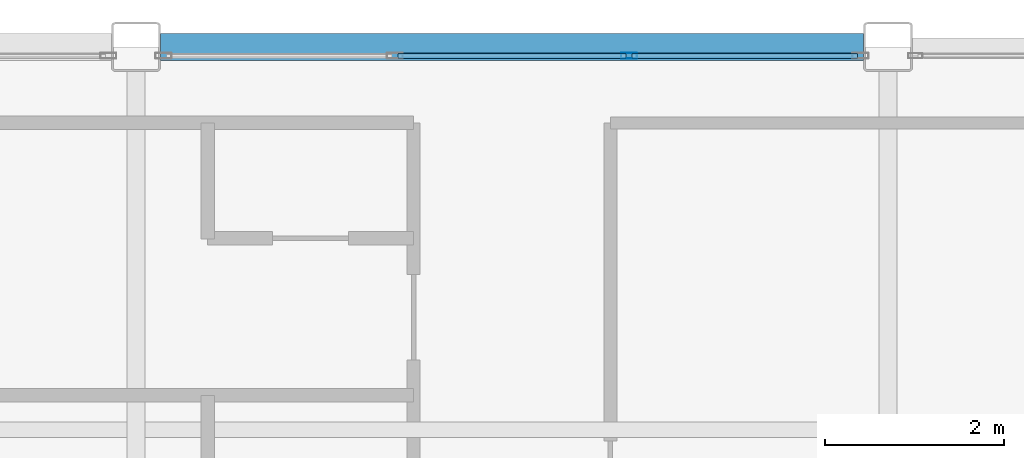
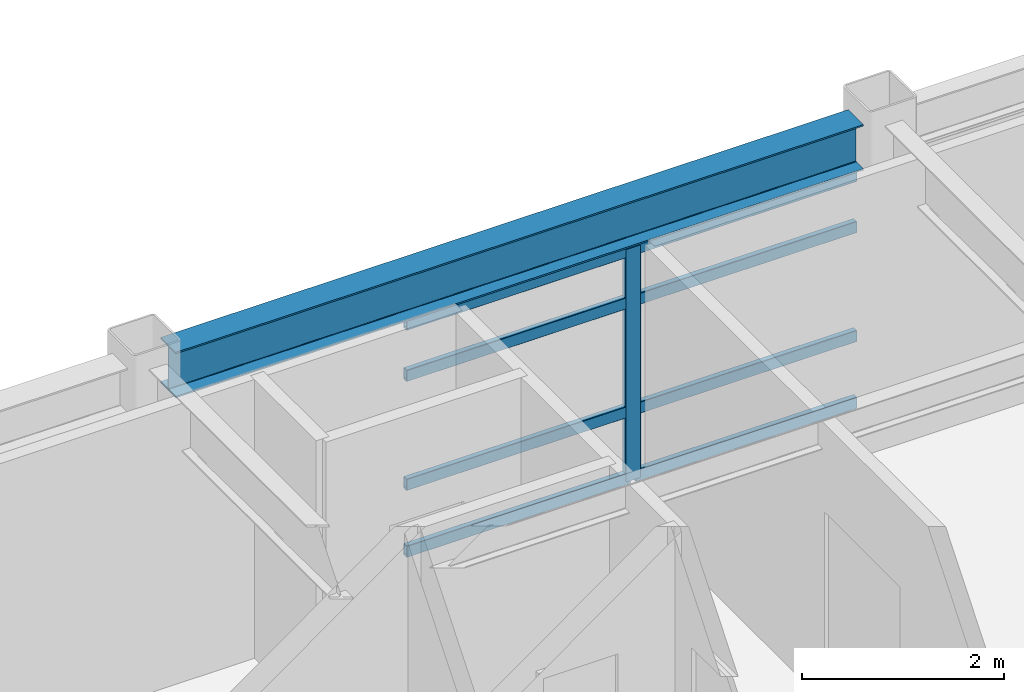
# One storey, part 19 of 38: 9 members, 1 beam, 1 element without a shape of its own.
"""IFC4 building model written with IfcOpenShell, lengths in metres."""

from ifc_helpers import new_model, si_unit, direction, frame, origin, origin_2d, place, context, subcontext, project, spatial, hollow_rectangle, i_section, extrude, material, layer, layer_set, material_profile, profile_set, type_object, element, aggregate, save


model = new_model("IFC4")

# Units and contexts
model_context = context("Model", 3, precision=1e-05, world=origin(), true_north=direction((0.0, 1.0)))
body_context = subcontext(model_context, "Body", "Model", "MODEL_VIEW")
ifc_project = project(units=[si_unit("LENGTHUNIT", "METRE"), si_unit("AREAUNIT", "SQUARE_METRE"), si_unit("VOLUMEUNIT", "CUBIC_METRE"), si_unit("PLANEANGLEUNIT", "RADIAN"), si_unit("MASSUNIT", "GRAM", prefix="KILO")], contexts=[model_context])

# Site, building, storey
site_placement = place(None, origin())
site = spatial("IfcSite", under=ifc_project, at=site_placement, CompositionType="ELEMENT")
building_placement = place(site_placement, origin())
building = spatial("IfcBuilding", under=site, at=building_placement, Name="Kazehara Bluff Congress Hotel", CompositionType="ELEMENT")
storey_placement = place(building_placement, frame((0.0, 0.0, 24.60009765625)))
storey = spatial("IfcBuildingStorey", under=building, at=storey_placement, Name="L05", CompositionType="ELEMENT", Elevation=24.60009765625)

# Curtain wall, members
ifc_material_1 = material(Name="Anodised aluminium", Category="aluminium")
ifc_layer = layer(ifc_material_1, 0.159912109375)
ifc_layer_set = layer_set([ifc_layer], Name="Anodised aluminium")
curtain_wall_type = type_object("IfcCurtainWallType", Name="TP-CW-172", PredefinedType="NOTDEFINED", material=ifc_layer_set)
curtain_wall_placement = place(storey_placement, origin())
curtain_wall = element("IfcCurtainWall", 1, at=curtain_wall_placement, inside=storey, type_object=curtain_wall_type, Name="L05 curtain wall CW-172 CW-ENC-V5-L05-15630-10535", PredefinedType="NOTDEFINED")
ifc_material_2 = material(Name="Anodised aluminium", Category="aluminium")
ifc_material_profile_1 = material_profile(ifc_material_2, hollow_rectangle(XDim=0.06494140625, YDim=0.179931640625, WallThickness=0.00390625, InnerFilletRadius=0.00390625, OuterFilletRadius=0.008056640625, at=origin_2d()))
ifc_profile_set_1 = profile_set([ifc_material_profile_1], Name="Anodised aluminium")
member_type_1 = type_object("IfcMemberType", Name="TP-CWM-02", PredefinedType="MULLION", material=ifc_profile_set_1)
member_1_placement = place(storey_placement, frame((157.6083984375, 105.35009765625, 0.0), z_axis=(0.0, 0.0, 1.0), x_axis=(0.0, 1.0, 0.0)))
member_1 = element("IfcMember", 2, at=member_1_placement, type_object=member_type_1, Name="CW-172 mullion 3", PredefinedType="MULLION", context=body_context, shape_type="SweptSolid", body=[
    extrude(hollow_rectangle(XDim=0.06494140625, YDim=0.179931640625, WallThickness=0.00390625, InnerFilletRadius=0.00390625, OuterFilletRadius=0.008056640625, at=origin_2d()), origin(), (0.0, 0.0, 1.0), 2.804931640625),
])
ifc_material_3 = material(Name="Anodised aluminium", Category="aluminium")
ifc_material_profile_2 = material_profile(ifc_material_3, hollow_rectangle(XDim=0.06494140625, YDim=0.139892578125, WallThickness=0.00390625, InnerFilletRadius=0.00390625, OuterFilletRadius=0.008056640625, at=origin_2d()))
ifc_profile_set_2 = profile_set([ifc_material_profile_2], Name="Anodised aluminium")
member_type_2 = type_object("IfcMemberType", Name="TP-CWT-02", PredefinedType="USERDEFINED", material=ifc_profile_set_2)
member_2_placement = place(storey_placement, frame((155.024169921875, 105.35009765625, 0.032470703125), z_axis=(1.0, 0.0, 0.0), x_axis=(0.0, 1.0, 0.0)))
member_2 = element("IfcMember", 3, at=member_2_placement, type_object=member_type_2, Name="CW-172 transom 2.1", ObjectType="TRANSOM", PredefinedType="USERDEFINED", context=body_context, shape_type="SweptSolid", body=[
    extrude(hollow_rectangle(XDim=0.06494140625, YDim=0.139892578125, WallThickness=0.00390625, InnerFilletRadius=0.00390625, OuterFilletRadius=0.008056640625, at=origin_2d()), origin(), (0.0, 0.0, 1.0), 2.5517578125),
])
member_3_placement = place(storey_placement, frame((155.024169921875, 105.35009765625, 0.83984375), z_axis=(1.0, 0.0, 0.0), x_axis=(0.0, 1.0, 0.0)))
member_3 = element("IfcMember", 4, at=member_3_placement, type_object=member_type_2, Name="CW-172 transom 2.2", ObjectType="TRANSOM", PredefinedType="USERDEFINED", context=body_context, shape_type="SweptSolid", body=[
    extrude(hollow_rectangle(XDim=0.06494140625, YDim=0.139892578125, WallThickness=0.00390625, InnerFilletRadius=0.00390625, OuterFilletRadius=0.008056640625, at=origin_2d()), origin(), (0.0, 0.0, 1.0), 2.5517578125),
])
member_4_placement = place(storey_placement, frame((155.024169921875, 105.35009765625, 2.15478515625), z_axis=(1.0, 0.0, 0.0), x_axis=(0.0, 1.0, 0.0)))
member_4 = element("IfcMember", 5, at=member_4_placement, type_object=member_type_2, Name="CW-172 transom 2.3", ObjectType="TRANSOM", PredefinedType="USERDEFINED", context=body_context, shape_type="SweptSolid", body=[
    extrude(hollow_rectangle(XDim=0.06494140625, YDim=0.139892578125, WallThickness=0.00390625, InnerFilletRadius=0.00390625, OuterFilletRadius=0.008056640625, at=origin_2d()), origin(), (0.0, 0.0, 1.0), 2.5517578125),
])
member_5_placement = place(storey_placement, frame((155.024169921875, 105.35009765625, 2.7724609375), z_axis=(1.0, 0.0, 0.0), x_axis=(0.0, 1.0, 0.0)))
member_5 = element("IfcMember", 6, at=member_5_placement, type_object=member_type_2, Name="CW-172 transom 2.4", ObjectType="TRANSOM", PredefinedType="USERDEFINED", context=body_context, shape_type="SweptSolid", body=[
    extrude(hollow_rectangle(XDim=0.06494140625, YDim=0.139892578125, WallThickness=0.00390625, InnerFilletRadius=0.00390625, OuterFilletRadius=0.008056640625, at=origin_2d()), origin(), (0.0, 0.0, 1.0), 2.5517578125),
])
member_6_placement = place(storey_placement, frame((157.640869140625, 105.35009765625, 0.032470703125), z_axis=(1.0, 0.0, 0.0), x_axis=(0.0, 1.0, 0.0)))
member_6 = element("IfcMember", 7, at=member_6_placement, type_object=member_type_2, Name="CW-172 transom 3.1", ObjectType="TRANSOM", PredefinedType="USERDEFINED", context=body_context, shape_type="SweptSolid", body=[
    extrude(hollow_rectangle(XDim=0.06494140625, YDim=0.139892578125, WallThickness=0.00390625, InnerFilletRadius=0.00390625, OuterFilletRadius=0.008056640625, at=origin_2d()), origin(), (0.0, 0.0, 1.0), 2.51904296875),
])
member_7_placement = place(storey_placement, frame((157.640869140625, 105.35009765625, 0.83984375), z_axis=(1.0, 0.0, 0.0), x_axis=(0.0, 1.0, 0.0)))
member_7 = element("IfcMember", 8, at=member_7_placement, type_object=member_type_2, Name="CW-172 transom 3.2", ObjectType="TRANSOM", PredefinedType="USERDEFINED", context=body_context, shape_type="SweptSolid", body=[
    extrude(hollow_rectangle(XDim=0.06494140625, YDim=0.139892578125, WallThickness=0.00390625, InnerFilletRadius=0.00390625, OuterFilletRadius=0.008056640625, at=origin_2d()), origin(), (0.0, 0.0, 1.0), 2.51904296875),
])
member_8_placement = place(storey_placement, frame((157.640869140625, 105.35009765625, 2.15478515625), z_axis=(1.0, 0.0, 0.0), x_axis=(0.0, 1.0, 0.0)))
member_8 = element("IfcMember", 9, at=member_8_placement, type_object=member_type_2, Name="CW-172 transom 3.3", ObjectType="TRANSOM", PredefinedType="USERDEFINED", context=body_context, shape_type="SweptSolid", body=[
    extrude(hollow_rectangle(XDim=0.06494140625, YDim=0.139892578125, WallThickness=0.00390625, InnerFilletRadius=0.00390625, OuterFilletRadius=0.008056640625, at=origin_2d()), origin(), (0.0, 0.0, 1.0), 2.51904296875),
])
member_9_placement = place(storey_placement, frame((157.640869140625, 105.35009765625, 2.7724609375), z_axis=(1.0, 0.0, 0.0), x_axis=(0.0, 1.0, 0.0)))
member_9 = element("IfcMember", 10, at=member_9_placement, type_object=member_type_2, Name="CW-172 transom 3.4", ObjectType="TRANSOM", PredefinedType="USERDEFINED", context=body_context, shape_type="SweptSolid", body=[
    extrude(hollow_rectangle(XDim=0.06494140625, YDim=0.139892578125, WallThickness=0.00390625, InnerFilletRadius=0.00390625, OuterFilletRadius=0.008056640625, at=origin_2d()), origin(), (0.0, 0.0, 1.0), 2.51904296875),
])
aggregate(curtain_wall, [member_1, member_2, member_3, member_4, member_5, member_6, member_7, member_8, member_9])

# Beam
ifc_material_4 = material(Name="Steel SN490B", Category="steel")
ifc_material_profile_3 = material_profile(ifc_material_4, i_section(OverallWidth=0.300048828125, OverallDepth=0.550048828125, WebThickness=0.010986328125, FlangeThickness=0.01806640625, FilletRadius=0.012939453125, at=origin_2d()))
ifc_profile_set_3 = profile_set([ifc_material_profile_3], Name="Steel SN490B")
beam_type = type_object("IfcBeamType", Name="TP-G-12", PredefinedType="BEAM", material=ifc_profile_set_3)
beam_placement = place(storey_placement, frame((152.375, 105.449951171875, 3.10498046875), z_axis=(1.0, 0.0, 0.0), x_axis=(0.0, 1.0, 0.0)))
element("IfcBeam", 11, at=beam_placement, inside=storey, type_object=beam_type, Name="L05 girder G-12 80", PredefinedType="BEAM", context=body_context, shape_type="SweptSolid", body=[
    extrude(i_section(OverallWidth=0.300048828125, OverallDepth=0.550048828125, WebThickness=0.010986328125, FlangeThickness=0.01806640625, FilletRadius=0.012939453125, at=origin_2d()), origin(), (0.0, 0.0, 1.0), 7.85009765625),
])

save(model, "model.ifc")
